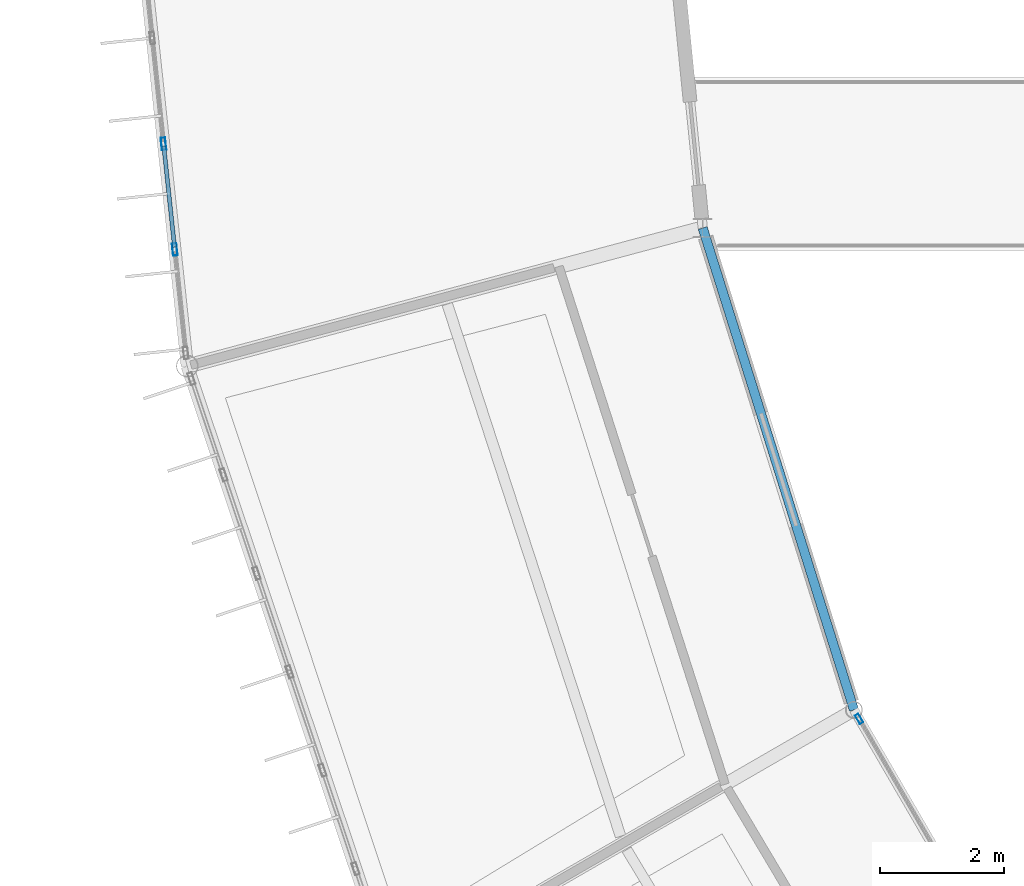
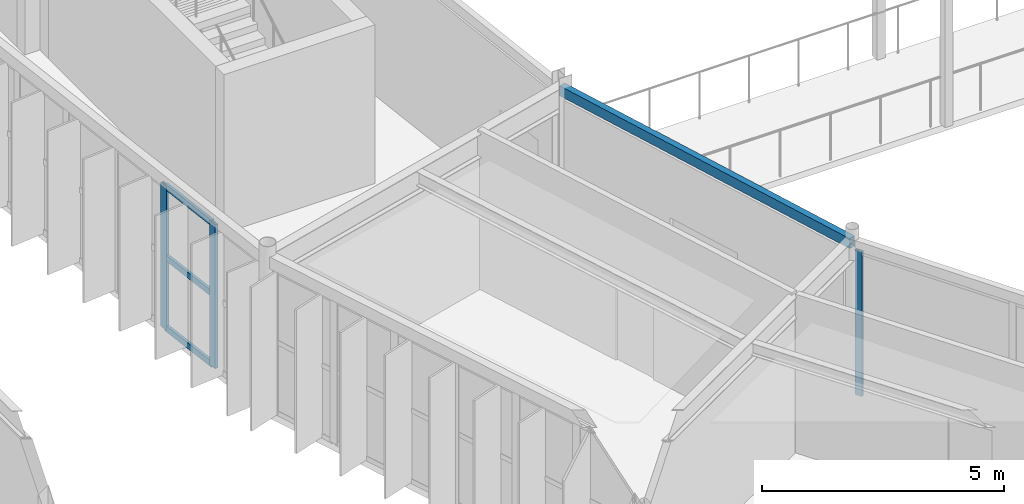
# One storey, part 42 of 147: 6 members, 1 beam, 2 elements without a shape of their own.
"""IFC4 building model written with IfcOpenShell, lengths in metres."""

import ifcopenshell
import ifcopenshell.guid

model = None  # the IFC model being written
_history = None  # IfcOwnerHistory: only IFC2X3 demands one
_inside = {}  # id of a spatial element -> (the spatial element, [elements in it])
_under = {}  # id of a project, library or spatial element -> (it, [spatial elements below it])
_declared = {}  # id of a project -> (the project, [libraries it declares])
_typed = {}  # id of a type object -> (the type object, [elements of that type])
_made_of = {}  # id of a material, layer set ... -> (it, [elements and type objects made of it])


def new_model(schema):
    """Start an empty IFC model of exactly this schema.

    Asked for "IFC4X3", IfcOpenShell would pick the latest addendum, in which some entities
    have other attributes; the version numbers below select the first issue.
    IFC2X3 requires an IfcOwnerHistory on every rooted entity: one is made here for all.
    """
    global model, _history
    if schema == "IFC4X3":
        model = ifcopenshell.file(schema_version=(4, 3, 0, 0))
    else:
        model = ifcopenshell.file(schema=schema)
    _inside.clear()
    _under.clear()
    _declared.clear()
    _typed.clear()
    _made_of.clear()
    _history = None
    if model.schema == "IFC2X3":
        org = make("IfcOrganization", Name="unknown")
        user = make(
            "IfcPersonAndOrganization",
            ThePerson=make("IfcPerson", FamilyName="unknown"),
            TheOrganization=org,
        )
        app = make(
            "IfcApplication",
            ApplicationDeveloper=org,
            Version="unknown",
            ApplicationFullName="unknown",
            ApplicationIdentifier="unknown",
        )
        _history = make(
            "IfcOwnerHistory",
            OwningUser=user,
            OwningApplication=app,
            ChangeAction="ADDED",
            CreationDate=0,
        )
    return model


def make(cls, **values):
    """One entity of the class cls with the attributes given. An attribute that is None is left unset."""
    return model.create_entity(
        cls, **{name: value for name, value in values.items() if value is not None}
    )


def rooted(cls, **values):
    """An entity with a GlobalId (a new one), such as an element, a storey or a relation."""
    return make(cls, GlobalId=ifcopenshell.guid.new(), OwnerHistory=_history, **values)


def si_unit(unit_type, name, prefix=None):
    """IfcSIUnit, for example si_unit("LENGTHUNIT", "METRE", prefix="MILLI")."""
    return make("IfcSIUnit", UnitType=unit_type, Prefix=prefix, Name=name)


def assignment(units):
    """IfcUnitAssignment: the units of a project."""
    return None if units is None else make("IfcUnitAssignment", Units=units)


def point(xyz):
    """IfcCartesianPoint."""
    return None if xyz is None else make("IfcCartesianPoint", Coordinates=xyz)


def direction(xyz):
    """IfcDirection."""
    return None if xyz is None else make("IfcDirection", DirectionRatios=xyz)


def frame(location, z_axis=None, x_axis=None):
    """IfcAxis2Placement3D, a coordinate frame: its origin and axes. An axis left out is left unset."""
    return make(
        "IfcAxis2Placement3D",
        Location=point(location),
        Axis=direction(z_axis),
        RefDirection=direction(x_axis),
    )


def frame_2d(location, x_axis=None):
    """IfcAxis2Placement2D, a coordinate frame in the plane: its origin and x axis."""
    return make(
        "IfcAxis2Placement2D", Location=point(location), RefDirection=direction(x_axis)
    )


def origin():
    """The frame at (0, 0, 0) with its axes left unset."""
    return frame((0.0, 0.0, 0.0))


def origin_2d():
    """The frame at (0, 0) in the plane with its x axis left unset."""
    return frame_2d((0.0, 0.0))


def place(relative_to, where):
    """IfcLocalPlacement: puts the frame where relative to a parent placement (None: the world)."""
    return make(
        "IfcLocalPlacement", PlacementRelTo=relative_to, RelativePlacement=where
    )


def context(
    kind, dimensions, precision=None, world=None, true_north=None, identifier=None
):
    """IfcGeometricRepresentationContext, for example the 3D "Model" context."""
    return make(
        "IfcGeometricRepresentationContext",
        ContextIdentifier=identifier,
        ContextType=kind,
        CoordinateSpaceDimension=dimensions,
        Precision=precision,
        WorldCoordinateSystem=world,
        TrueNorth=true_north,
    )


def subcontext(parent, identifier, kind, view, scale=None):
    """IfcGeometricRepresentationSubContext, for example "Body" below "Model"."""
    return make(
        "IfcGeometricRepresentationSubContext",
        ContextIdentifier=identifier,
        ContextType=kind,
        ParentContext=parent,
        TargetScale=scale,
        TargetView=view,
    )


def project(units=None, contexts=None):
    """IfcProject with its units and contexts."""
    return rooted(
        "IfcProject",
        Name="project",
        RepresentationContexts=contexts,
        UnitsInContext=assignment(units),
    )


def spatial(cls, under=None, at=None, **own):
    """A site, building, storey or space (cls), placed at a placement, below another one or the project."""
    s = rooted(cls, ObjectPlacement=at, **own)
    if under is not None:
        _under.setdefault(under.id(), (under, []))[1].append(s)
    return s


def profile(cls, at=None, kind="AREA", **sizes):
    """A parametric profile (cls). Its sizes go by their IFC names, for example OverallWidth=200.0."""
    return make(cls, ProfileType=kind, Position=at, **sizes)


def hollow_rectangle(**sizes):
    """IfcRectangleHollowProfileDef."""
    return profile("IfcRectangleHollowProfileDef", **sizes)


def extrude(swept, where, along, depth):
    """IfcExtrudedAreaSolid: the profile swept, set in the frame where, extruded along a direction by depth."""
    return make(
        "IfcExtrudedAreaSolid",
        SweptArea=swept,
        Position=where,
        ExtrudedDirection=direction(along),
        Depth=depth,
    )


def shape(context_of_items, identifier, shape_type, items):
    """IfcShapeRepresentation: the items that make up one representation, for example the "Body"."""
    return make(
        "IfcShapeRepresentation",
        ContextOfItems=context_of_items,
        RepresentationIdentifier=identifier,
        RepresentationType=shape_type,
        Items=items,
    )


def material(Name=None, Category=None):
    """IfcMaterial."""
    return make("IfcMaterial", Name=Name, Category=Category)


def material_profile(
    of_material, cross_section, Name=None, Category=None, Priority=None
):
    """IfcMaterialProfile: a cross section and its material."""
    return make(
        "IfcMaterialProfile",
        Name=Name,
        Material=of_material,
        Profile=cross_section,
        Priority=Priority,
        Category=Category,
    )


def profile_set(profiles, Name=None, composite=None):
    """IfcMaterialProfileSet."""
    return make(
        "IfcMaterialProfileSet",
        Name=Name,
        MaterialProfiles=profiles,
        CompositeProfile=composite,
    )


def made_of(thing, what):
    """Note that an element or type object is made of a material, layer set ...; save() writes the relation."""
    if what is not None:
        _made_of.setdefault(what.id(), (what, []))[1].append(thing)
    return thing


def type_object(cls, material=None, **own):
    """A type object (cls), such as IfcWallType, which elements share."""
    return made_of(rooted(cls, **own), material)


def element(
    cls,
    number,
    at=None,
    inside=None,
    cuts=None,
    type_object=None,
    material=None,
    context=None,
    identifier="Body",
    shape_type=None,
    held_by="IfcProductDefinitionShape",
    body=None,
    shapes=None,
    **own,
):
    """One element of the class cls, such as IfcWall. Its Tag is "e" and its number.

    at: its placement. inside: the storey or other place that contains it. cuts: it is an
    opening in that element (IfcRelVoidsElement). A single representation is given by context,
    identifier, shape_type and body (its items); several are given by shapes. held_by: the class
    of the entity that holds the representations. save() writes the other relations.
    """
    e = rooted(cls, Tag="e%d" % number, ObjectPlacement=at, **own)
    if body is not None:
        shapes = [shape(context, identifier, shape_type, body)]
    if shapes is not None:
        e.Representation = make(held_by, Representations=shapes)
    if inside is not None:
        _inside.setdefault(inside.id(), (inside, []))[1].append(e)
    if cuts is not None:
        rooted(
            "IfcRelVoidsElement", RelatingBuildingElement=cuts, RelatedOpeningElement=e
        )
    if type_object is not None:
        _typed.setdefault(type_object.id(), (type_object, []))[1].append(e)
    return made_of(e, material)


def aggregate(whole, parts):
    """IfcRelAggregates: a whole, such as a stair, and the parts it consists of."""
    return rooted("IfcRelAggregates", RelatingObject=whole, RelatedObjects=parts)


def save(model, path):
    """Write the relations noted so far, then the file.

    IfcRelAggregates (storeys below a building ...), IfcRelContainedInSpatialStructure (elements
    in a storey), IfcRelDefinesByType, IfcRelAssociatesMaterial and IfcRelDeclares: one each for
    every whole, place, type object, material and project.
    """
    for whole, parts in _under.values():
        aggregate(whole, parts)
    for where, things in _inside.values():
        rooted(
            "IfcRelContainedInSpatialStructure",
            RelatedElements=things,
            RelatingStructure=where,
        )
    for kind, things in _typed.values():
        rooted("IfcRelDefinesByType", RelatedObjects=things, RelatingType=kind)
    for what, things in _made_of.values():
        rooted("IfcRelAssociatesMaterial", RelatedObjects=things, RelatingMaterial=what)
    for by, libraries in _declared.values():
        rooted("IfcRelDeclares", RelatingContext=by, RelatedDefinitions=libraries)
    model.write(path)


model = new_model("IFC4")

# Units and contexts
model_context = context("Model", 3, precision=1e-05, world=origin(), true_north=direction((0.0, 1.0)))
body_context = subcontext(model_context, "Body", "Model", "MODEL_VIEW")
ifc_project = project(units=[si_unit("LENGTHUNIT", "METRE"), si_unit("AREAUNIT", "SQUARE_METRE"), si_unit("VOLUMEUNIT", "CUBIC_METRE"), si_unit("PLANEANGLEUNIT", "RADIAN"), si_unit("MASSUNIT", "GRAM", prefix="KILO")], contexts=[model_context])

# Site, building, storey
site_placement = place(None, origin())
site = spatial("IfcSite", under=ifc_project, at=site_placement, CompositionType="ELEMENT")
building_placement = place(site_placement, origin())
building = spatial("IfcBuilding", under=site, at=building_placement, Name="Karori Crest Natural Sciences Institute", CompositionType="ELEMENT")
storey_placement = place(building_placement, frame((0.0, 0.0, 9.10009765625)))
storey = spatial("IfcBuildingStorey", under=building, at=storey_placement, Name="L02", CompositionType="ELEMENT", Elevation=9.10009765625)

# Beam
ifc_material_1 = material(Name="Hollow structural steel AS/NZS 1163 Grade C350", Category="steel")
ifc_material_profile_1 = material_profile(ifc_material_1, hollow_rectangle(XDim=0.14990234375, YDim=0.25, WallThickness=0.009033203125, at=origin_2d()), Name="RHS250x150x9")
ifc_profile_set_1 = profile_set([ifc_material_profile_1], Name="Hollow structural steel AS/NZS 1163 Grade C350")
beam_type = type_object("IfcBeamType", Name="BT-16", PredefinedType="SPANDREL", material=ifc_profile_set_1)
beam_placement = place(storey_placement, frame((42.831298828125, 41.56591796875, 3.789794921875), z_axis=(0.299495880683, -0.954097593254, 0.0), x_axis=(0.954097593254, 0.299495880683, 0.0)))
element("IfcBeam", 1, at=beam_placement, inside=storey, type_object=beam_type, Name="Beam B-0319", PredefinedType="SPANDREL", context=body_context, shape_type="SweptSolid", body=[
    extrude(hollow_rectangle(XDim=0.14990234375, YDim=0.25, WallThickness=0.009033203125, at=origin_2d()), origin(), (0.0, 0.0, 1.0), 8.139404296875),
])

# Curtain wall, member
ifc_material_2 = material(Name="Anodised architectural aluminium 6063-T6", Category="aluminium")
curtain_wall_type_1 = type_object("IfcCurtainWallType", Name="CWT-15", PredefinedType="NOTDEFINED", material=ifc_material_2)
curtain_wall_1_placement = place(storey_placement, origin())
curtain_wall_1 = element("IfcCurtainWall", 2, at=curtain_wall_1_placement, inside=storey, type_object=curtain_wall_type_1, Name="Curtain wall CW-0086", PredefinedType="NOTDEFINED")
ifc_material_profile_2 = material_profile(ifc_material_2, hollow_rectangle(XDim=0.06494140625, YDim=0.159912109375, WallThickness=0.00390625, at=origin_2d()), Name="CWM160x65x4")
ifc_profile_set_2 = profile_set([ifc_material_profile_2], Name="Anodised architectural aluminium 6063-T6")
member_type_1 = type_object("IfcMemberType", Name="CWM-01", PredefinedType="MULLION", material=ifc_profile_set_2)
member_1_placement = place(storey_placement, frame((45.35302734375, 33.655517578125, 0.0), z_axis=(0.0, 0.0, 1.0), x_axis=(0.864484379326, 0.502659683982, 0.0)))
member_1 = element("IfcMember", 3, at=member_1_placement, type_object=member_type_1, Name="CW-0086 mullion 1", PredefinedType="MULLION", context=body_context, shape_type="SweptSolid", body=[
    extrude(hollow_rectangle(XDim=0.06494140625, YDim=0.159912109375, WallThickness=0.00390625, at=origin_2d()), origin(), (0.0, 0.0, 1.0), 3.64990234375),
])
aggregate(curtain_wall_1, [member_1])

# Curtain wall, members
curtain_wall_type_2 = type_object("IfcCurtainWallType", Name="CWT-03", PredefinedType="NOTDEFINED", material=ifc_material_2)
curtain_wall_2_placement = place(storey_placement, origin())
curtain_wall_2 = element("IfcCurtainWall", 4, at=curtain_wall_2_placement, inside=storey, type_object=curtain_wall_type_2, Name="Curtain wall CW-0083", PredefinedType="NOTDEFINED")
ifc_material_profile_3 = material_profile(ifc_material_2, hollow_rectangle(XDim=0.074951171875, YDim=0.199951171875, WallThickness=0.0048828125, at=origin_2d()), Name="CWM200x75x5")
ifc_profile_set_3 = profile_set([ifc_material_profile_3], Name="Anodised architectural aluminium 6063-T6")
member_type_2 = type_object("IfcMemberType", Name="CWM-02", PredefinedType="MULLION", material=ifc_profile_set_3)
member_2_placement = place(storey_placement, frame((34.324462890625, 41.218994140625, 0.0), z_axis=(0.0, 0.0, 1.0), x_axis=(-0.994378742451, -0.105881615789, 0.0)))
member_2 = element("IfcMember", 5, at=member_2_placement, type_object=member_type_2, Name="CW-0083 mullion 2", PredefinedType="MULLION", context=body_context, shape_type="SweptSolid", body=[
    extrude(hollow_rectangle(XDim=0.074951171875, YDim=0.199951171875, WallThickness=0.0048828125, at=origin_2d()), origin(), (0.0, 0.0, 1.0), 3.625),
])
member_3_placement = place(storey_placement, frame((34.142822265625, 42.9228515625, 0.0), z_axis=(0.0, 0.0, 1.0), x_axis=(-0.994378742451, -0.105881615789, 0.0)))
member_3 = element("IfcMember", 6, at=member_3_placement, type_object=member_type_2, Name="CW-0083 mullion 3", PredefinedType="MULLION", context=body_context, shape_type="SweptSolid", body=[
    extrude(hollow_rectangle(XDim=0.074951171875, YDim=0.199951171875, WallThickness=0.0048828125, at=origin_2d()), origin(), (0.0, 0.0, 1.0), 3.625),
])
ifc_material_profile_4 = material_profile(ifc_material_2, hollow_rectangle(XDim=0.06494140625, YDim=0.14990234375, WallThickness=0.00390625, at=origin_2d()), Name="CWT150x65x4")
ifc_profile_set_4 = profile_set([ifc_material_profile_4], Name="Anodised architectural aluminium 6063-T6")
member_type_3 = type_object("IfcMemberType", Name="CWT-TR2", PredefinedType="USERDEFINED", material=ifc_profile_set_4)
member_4_placement = place(storey_placement, frame((34.3203125, 41.256103515625, 0.032470703125), z_axis=(-0.105786054594, 0.994388913179, 0.0), x_axis=(-0.994388913179, -0.105786054594, 0.0)))
member_4 = element("IfcMember", 7, at=member_4_placement, type_object=member_type_3, Name="CW-0083 transom 2.1", ObjectType="TRANSOM", PredefinedType="USERDEFINED", context=body_context, shape_type="SweptSolid", body=[
    extrude(hollow_rectangle(XDim=0.06494140625, YDim=0.14990234375, WallThickness=0.00390625, at=origin_2d()), origin(), (0.0, 0.0, 1.0), 1.638671875),
])
member_5_placement = place(storey_placement, frame((34.3203125, 41.256103515625, 1.8125), z_axis=(-0.105786054594, 0.994388913179, 0.0), x_axis=(-0.994388913179, -0.105786054594, 0.0)))
member_5 = element("IfcMember", 8, at=member_5_placement, type_object=member_type_3, Name="CW-0083 transom 2.2", ObjectType="TRANSOM", PredefinedType="USERDEFINED", context=body_context, shape_type="SweptSolid", body=[
    extrude(hollow_rectangle(XDim=0.06494140625, YDim=0.14990234375, WallThickness=0.00390625, at=origin_2d()), origin(), (0.0, 0.0, 1.0), 1.638671875),
])
member_6_placement = place(storey_placement, frame((34.3203125, 41.256103515625, 3.59228515625), z_axis=(-0.105786054594, 0.994388913179, 0.0), x_axis=(-0.994388913179, -0.105786054594, 0.0)))
member_6 = element("IfcMember", 9, at=member_6_placement, type_object=member_type_3, Name="CW-0083 transom 2.3", ObjectType="TRANSOM", PredefinedType="USERDEFINED", context=body_context, shape_type="SweptSolid", body=[
    extrude(hollow_rectangle(XDim=0.06494140625, YDim=0.14990234375, WallThickness=0.00390625, at=origin_2d()), origin(), (0.0, 0.0, 1.0), 1.638671875),
])
aggregate(curtain_wall_2, [member_2, member_3, member_4, member_5, member_6])

save(model, "model.ifc")
